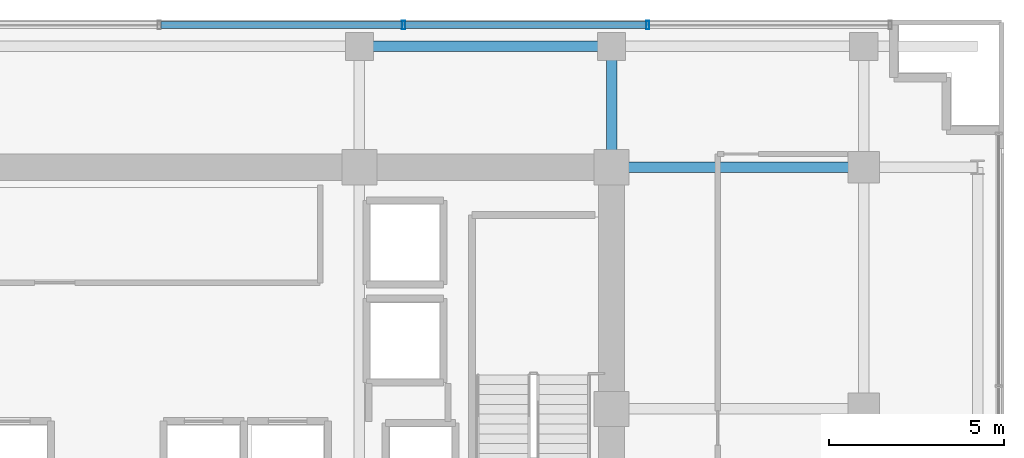
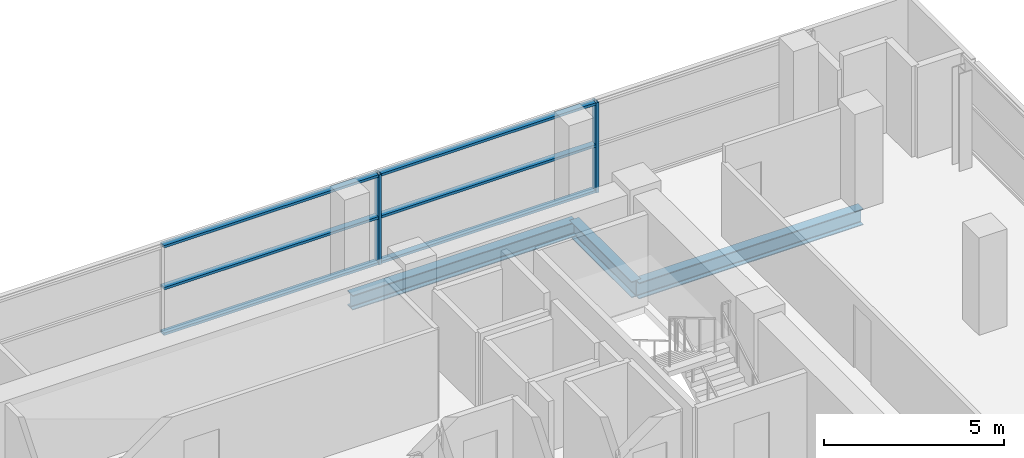
# One storey, part 17 of 28: 8 members, 3 beams, 1 element without a shape of its own.
"""IFC4 building model written with IfcOpenShell, lengths in metres."""

from ifc_helpers import new_model, si_unit, direction, frame, origin, origin_2d, place, context, subcontext, project, spatial, hollow_rectangle, i_section, extrude, source, transform, mapped, material, layer, layer_set, material_profile, profile_set, type_object, element, aggregate, save


model = new_model("IFC4")

# Units and contexts
model_context = context("Model", 3, precision=1e-05, world=origin(), true_north=direction((0.0, 1.0)))
body_context = subcontext(model_context, "Body", "Model", "MODEL_VIEW")
ifc_project = project(units=[si_unit("LENGTHUNIT", "METRE"), si_unit("AREAUNIT", "SQUARE_METRE"), si_unit("VOLUMEUNIT", "CUBIC_METRE"), si_unit("PLANEANGLEUNIT", "RADIAN"), si_unit("MASSUNIT", "GRAM", prefix="KILO")], contexts=[model_context])

# Site, building, storey
site_placement = place(None, origin())
site = spatial("IfcSite", under=ifc_project, at=site_placement, CompositionType="ELEMENT")
building_placement = place(site_placement, origin())
building = spatial("IfcBuilding", under=site, at=building_placement, Name="Zarnakvel Exchange Tower", CompositionType="ELEMENT")
storey_placement = place(building_placement, frame((0.0, 0.0, 103.300048828125)))
storey = spatial("IfcBuildingStorey", under=building, at=storey_placement, Name="L28", CompositionType="ELEMENT", Elevation=103.300048828125)

# Beams
ifc_material_1 = material(Name="Steel S355", Category="steel")
ifc_material_profile_1 = material_profile(ifc_material_1, i_section(OverallWidth=0.300048828125, OverallDepth=0.550048828125, WebThickness=0.014892578125, FlangeThickness=0.029052734375, FilletRadius=0.027099609375, at=origin_2d()))
ifc_profile_set_1 = profile_set([ifc_material_profile_1], Name="Steel S355")
beam_type_1 = type_object("IfcBeamType", Name="G-05", PredefinedType="BEAM", material=ifc_profile_set_1)
beam_1_placement = place(storey_placement, frame((14.39990234375, 13.5, -0.5), z_axis=(1.0, 0.0, 0.0), x_axis=(0.0, 1.0, 0.0)))
element("IfcBeam", 1, at=beam_1_placement, inside=storey, type_object=beam_type_1, Name="L28 Tower E-W Frame Beam", PredefinedType="BEAM", context=body_context, shape_type="SweptSolid", body=[
    extrude(i_section(OverallWidth=0.300048828125, OverallDepth=0.550048828125, WebThickness=0.014892578125, FlangeThickness=0.029052734375, FilletRadius=0.027099609375, at=origin_2d()), origin(), (0.0, 0.0, 1.0), 7.2001953125),
])
beam_2_placement = place(storey_placement, frame((14.39990234375, 13.5, -0.5), z_axis=(0.0, 1.0, 0.0), x_axis=(-1.0, 0.0, 0.0)))
element("IfcBeam", 2, at=beam_2_placement, inside=storey, type_object=beam_type_1, Name="L28 Tower N-S Frame Beam", PredefinedType="BEAM", context=body_context, shape_type="SweptSolid", body=[
    extrude(i_section(OverallWidth=0.300048828125, OverallDepth=0.550048828125, WebThickness=0.014892578125, FlangeThickness=0.029052734375, FilletRadius=0.027099609375, at=origin_2d()), origin(), (0.0, 0.0, 1.0), 3.449951171875),
])
ifc_material_profile_2 = material_profile(ifc_material_1, i_section(OverallWidth=0.300048828125, OverallDepth=0.5, WebThickness=0.014404296875, FlangeThickness=0.028076171875, FilletRadius=0.027099609375, at=origin_2d()))
ifc_profile_set_2 = profile_set([ifc_material_profile_2], Name="Steel S355")
beam_type_2 = type_object("IfcBeamType", Name="SP-02", PredefinedType="SPANDREL", material=ifc_profile_set_2)
beam_3_placement = place(storey_placement, frame((7.199951171875, 16.949951171875, -0.47509765625), z_axis=(1.0, 0.0, 0.0), x_axis=(0.0, 1.0, 0.0)))
element("IfcBeam", 3, at=beam_3_placement, inside=storey, type_object=beam_type_2, Name="L28 Tower E-W Frame Beam", PredefinedType="SPANDREL", context=body_context, shape_type="SweptSolid", body=[
    extrude(i_section(OverallWidth=0.300048828125, OverallDepth=0.5, WebThickness=0.014404296875, FlangeThickness=0.028076171875, FilletRadius=0.027099609375, at=origin_2d()), origin(), (0.0, 0.0, 1.0), 7.199951171875),
])

# Curtain wall, members
ifc_material_2 = material(Name="Architectural Bronze Anodised Aluminium", Category="aluminium")
ifc_layer = layer(ifc_material_2, 0.239990234375)
ifc_layer_set = layer_set([ifc_layer], Name="Architectural Bronze Anodised Aluminium")
curtain_wall_type = type_object("IfcCurtainWallType", Name="CW-02", PredefinedType="NOTDEFINED", material=ifc_layer_set)
curtain_wall_placement = place(storey_placement, origin())
curtain_wall = element("IfcCurtainWall", 4, at=curtain_wall_placement, inside=storey, type_object=curtain_wall_type, Name="L28 Curtain Wall CW-L28-N1 (CW-02)", PredefinedType="NOTDEFINED")
ifc_material_profile_3 = material_profile(ifc_material_2, hollow_rectangle(XDim=0.239990234375, YDim=0.090087890625, WallThickness=0.006103515625, at=origin_2d()))
ifc_profile_set_3 = profile_set([ifc_material_profile_3], Name="Architectural Bronze Anodised Aluminium")
member_type_1 = type_object("IfcMemberType", Name="CWM-02", PredefinedType="MULLION", material=ifc_profile_set_3)
shared_shape_1 = source(origin(), body_context, "Body", "SweptSolid", [
    extrude(hollow_rectangle(XDim=0.239990234375, YDim=0.090087890625, WallThickness=0.006103515625, at=origin_2d()), origin(), (0.0, 0.0, 1.0), 3.054931640625),
])
member_1_placement = place(storey_placement, frame((8.45703125, 17.56005859375, 0.0), z_axis=(0.0, 0.0, 1.0), x_axis=(0.0, 1.0, 0.0)))
member_1 = element("IfcMember", 5, at=member_1_placement, type_object=member_type_1, Name="CW-02 mullion 6", PredefinedType="MULLION", context=body_context, shape_type="MappedRepresentation", body=[
    mapped(shared_shape_1, transform((0.0, 0.0, 0.0), x_axis=(1.0, 0.0, 0.0), y_axis=(0.0, 1.0, 0.0), z_axis=(0.0, 0.0, 1.0), scale=1.0)),
])
member_2_placement = place(storey_placement, frame((15.428466796875, 17.56005859375, 0.0), z_axis=(0.0, 0.0, 1.0), x_axis=(0.0, 1.0, 0.0)))
member_2 = element("IfcMember", 6, at=member_2_placement, type_object=member_type_1, Name="CW-02 mullion 7", PredefinedType="MULLION", context=body_context, shape_type="MappedRepresentation", body=[
    mapped(shared_shape_1, transform((0.0, 0.0, 0.0), x_axis=(1.0, 0.0, 0.0), y_axis=(0.0, 1.0, 0.0), z_axis=(0.0, 0.0, 1.0), scale=1.0)),
])
ifc_material_profile_4 = material_profile(ifc_material_2, hollow_rectangle(XDim=0.199951171875, YDim=0.0849609375, WallThickness=0.0048828125, at=origin_2d()))
ifc_profile_set_4 = profile_set([ifc_material_profile_4], Name="Architectural Bronze Anodised Aluminium")
member_type_2 = type_object("IfcMemberType", Name="CWT-02", PredefinedType="USERDEFINED", material=ifc_profile_set_4)
shared_shape_2 = source(origin(), body_context, "Body", "SweptSolid", [
    extrude(hollow_rectangle(XDim=0.199951171875, YDim=0.0849609375, WallThickness=0.0048828125, at=origin_2d()), origin(), (0.0, 0.0, 1.0), 6.88134765625),
])
member_3_placement = place(storey_placement, frame((1.53076171875, 17.56005859375, 0.04248046875), z_axis=(1.0, 0.0, 0.0), x_axis=(0.0, 1.0, 0.0)))
member_3 = element("IfcMember", 7, at=member_3_placement, type_object=member_type_2, Name="CW-02 transom 5.1", ObjectType="TRANSOM", PredefinedType="USERDEFINED", context=body_context, shape_type="MappedRepresentation", body=[
    mapped(shared_shape_2, transform((0.0, 0.0, 0.0), x_axis=(1.0, 0.0, 0.0), y_axis=(0.0, 1.0, 0.0), z_axis=(0.0, 0.0, 1.0), scale=1.0)),
])
member_4_placement = place(storey_placement, frame((1.53076171875, 17.56005859375, 1.588623046875), z_axis=(1.0, 0.0, 0.0), x_axis=(0.0, 1.0, 0.0)))
member_4 = element("IfcMember", 8, at=member_4_placement, type_object=member_type_2, Name="CW-02 transom 5.2", ObjectType="TRANSOM", PredefinedType="USERDEFINED", context=body_context, shape_type="MappedRepresentation", body=[
    mapped(shared_shape_2, transform((0.0, 0.0, 0.0), x_axis=(1.0, 0.0, 0.0), y_axis=(0.0, 1.0, 0.0), z_axis=(0.0, 0.0, 1.0), scale=1.0)),
])
member_5_placement = place(storey_placement, frame((1.53076171875, 17.56005859375, 3.012451171875), z_axis=(1.0, 0.0, 0.0), x_axis=(0.0, 1.0, 0.0)))
member_5 = element("IfcMember", 9, at=member_5_placement, type_object=member_type_2, Name="CW-02 transom 5.3", ObjectType="TRANSOM", PredefinedType="USERDEFINED", context=body_context, shape_type="MappedRepresentation", body=[
    mapped(shared_shape_2, transform((0.0, 0.0, 0.0), x_axis=(1.0, 0.0, 0.0), y_axis=(0.0, 1.0, 0.0), z_axis=(0.0, 0.0, 1.0), scale=1.0)),
])
member_6_placement = place(storey_placement, frame((8.502197265625, 17.56005859375, 0.04248046875), z_axis=(1.0, 0.0, 0.0), x_axis=(0.0, 1.0, 0.0)))
member_6 = element("IfcMember", 10, at=member_6_placement, type_object=member_type_2, Name="CW-02 transom 6.1", ObjectType="TRANSOM", PredefinedType="USERDEFINED", context=body_context, shape_type="MappedRepresentation", body=[
    mapped(shared_shape_2, transform((0.0, 0.0, 0.0), x_axis=(1.0, 0.0, 0.0), y_axis=(0.0, 1.0, 0.0), z_axis=(0.0, 0.0, 1.0), scale=1.0)),
])
member_7_placement = place(storey_placement, frame((8.502197265625, 17.56005859375, 1.588623046875), z_axis=(1.0, 0.0, 0.0), x_axis=(0.0, 1.0, 0.0)))
member_7 = element("IfcMember", 11, at=member_7_placement, type_object=member_type_2, Name="CW-02 transom 6.2", ObjectType="TRANSOM", PredefinedType="USERDEFINED", context=body_context, shape_type="MappedRepresentation", body=[
    mapped(shared_shape_2, transform((0.0, 0.0, 0.0), x_axis=(1.0, 0.0, 0.0), y_axis=(0.0, 1.0, 0.0), z_axis=(0.0, 0.0, 1.0), scale=1.0)),
])
member_8_placement = place(storey_placement, frame((8.502197265625, 17.56005859375, 3.012451171875), z_axis=(1.0, 0.0, 0.0), x_axis=(0.0, 1.0, 0.0)))
member_8 = element("IfcMember", 12, at=member_8_placement, type_object=member_type_2, Name="CW-02 transom 6.3", ObjectType="TRANSOM", PredefinedType="USERDEFINED", context=body_context, shape_type="MappedRepresentation", body=[
    mapped(shared_shape_2, transform((0.0, 0.0, 0.0), x_axis=(1.0, 0.0, 0.0), y_axis=(0.0, 1.0, 0.0), z_axis=(0.0, 0.0, 1.0), scale=1.0)),
])
aggregate(curtain_wall, [member_1, member_2, member_3, member_4, member_5, member_6, member_7, member_8])

save(model, "model.ifc")
